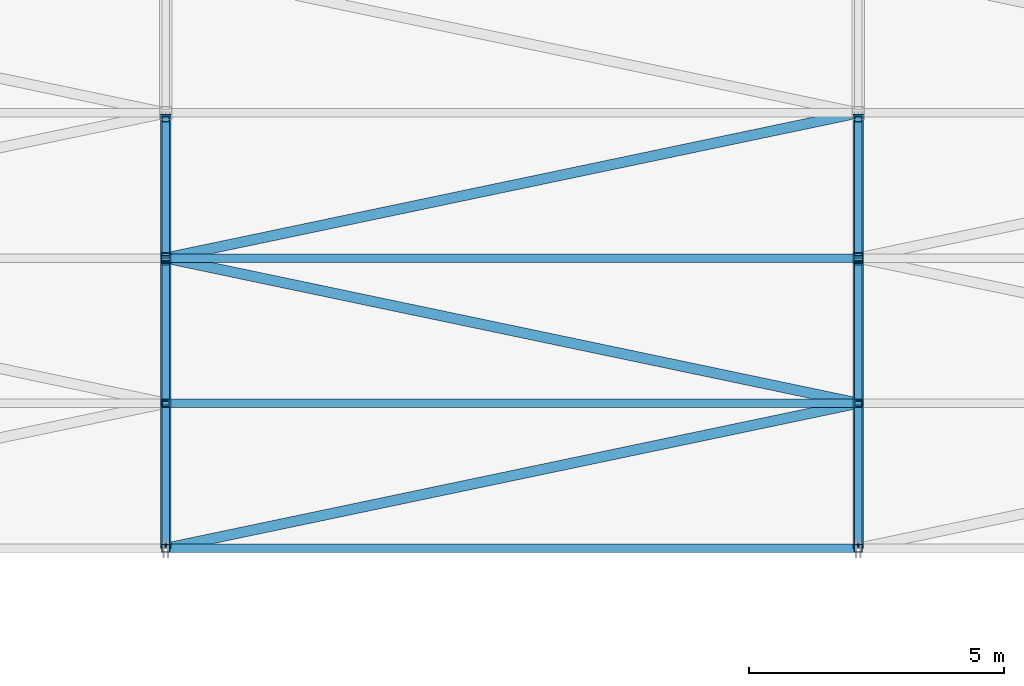
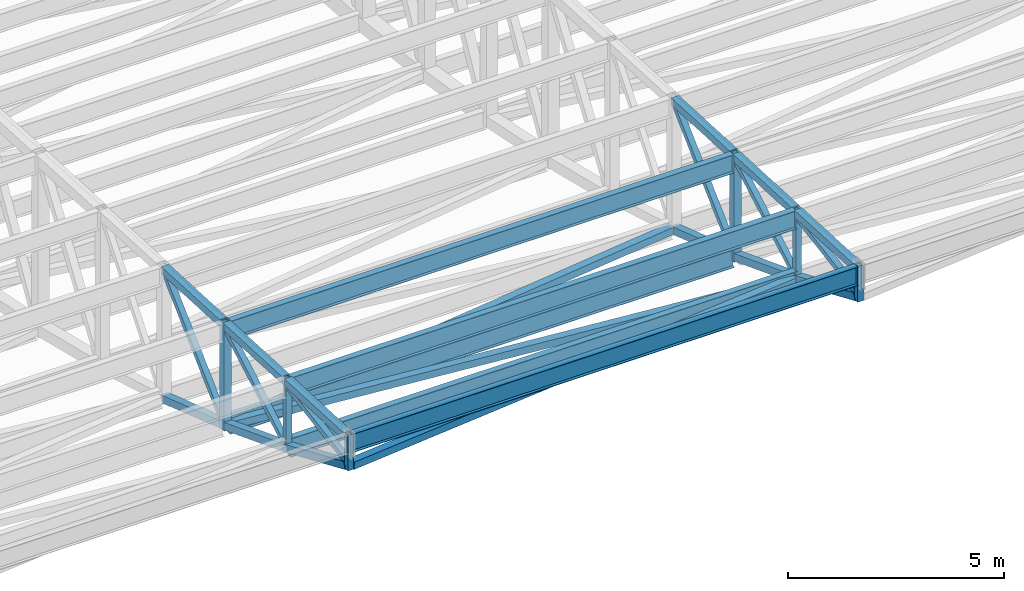
# One storey, part 78 of 278: 18 beams, 14 members.
"""IFC4 building model written with IfcOpenShell, lengths in metres."""

from ifc_helpers import new_model, si_unit, direction, frame, origin, origin_2d, place, context, subcontext, project, spatial, hollow_rectangle, i_section, extrude, material, material_profile, profile_set, type_object, element, save


model = new_model("IFC4")

# Units and contexts
model_context = context("Model", 3, precision=1e-05, world=origin(), true_north=direction((0.0, 1.0)))
body_context = subcontext(model_context, "Body", "Model", "MODEL_VIEW")
ifc_project = project(units=[si_unit("LENGTHUNIT", "METRE"), si_unit("AREAUNIT", "SQUARE_METRE"), si_unit("VOLUMEUNIT", "CUBIC_METRE"), si_unit("PLANEANGLEUNIT", "RADIAN"), si_unit("MASSUNIT", "GRAM", prefix="KILO")], contexts=[model_context])

# Site, building, storey
site_placement = place(None, origin())
site = spatial("IfcSite", under=ifc_project, at=site_placement, CompositionType="ELEMENT")
building_placement = place(site_placement, origin())
building = spatial("IfcBuilding", under=site, at=building_placement, Name="Ogive Plaza Stadium", CompositionType="ELEMENT")
storey_placement = place(building_placement, frame((0.0, 0.0, 29.0)))
storey = spatial("IfcBuildingStorey", under=building, at=storey_placement, Name="Roof", CompositionType="ELEMENT", Elevation=29.0)

# Members
ifc_material_1 = material(Name="Steel ASTM A500 Grade C", Category="steel")
ifc_material_profile_1 = material_profile(ifc_material_1, hollow_rectangle(XDim=0.203125, YDim=0.203125, WallThickness=0.0087890625, at=origin_2d()), Name="HSS8X8X3/8")
ifc_profile_set_1 = profile_set([ifc_material_profile_1], Name="Steel ASTM A500 Grade C")
member_type_1 = type_object("IfcMemberType", Name="Roof plan brace HSS8X8X3/8", PredefinedType="BRACE", material=ifc_profile_set_1)
member_1_placement = place(storey_placement, frame((-20.332275390625, 64.01416015625, 6.5205078125), z_axis=(0.974983402681, 0.204327358854, -0.087508256301), x_axis=(-0.205114219191, 0.978738043138, 0.0)))
element("IfcMember", 1, at=member_1_placement, inside=storey, type_object=member_type_1, Name="ROOF BRACE B33 1", PredefinedType="BRACE", context=body_context, shape_type="SweptSolid", body=[
    extrude(hollow_rectangle(XDim=0.203125, YDim=0.203125, WallThickness=0.0087890625, at=origin_2d()), origin(), (0.0, 0.0, 1.0), 13.81005859375),
])
member_2_placement = place(storey_placement, frame((-6.86767578125, 66.8642578125, 5.30029296875), z_axis=(-0.975733868402, 0.204463279961, -0.078346571082), x_axis=(-0.205093700418, -0.978742343035, 0.0)))
element("IfcMember", 2, at=member_2_placement, inside=storey, type_object=member_type_1, Name="ROOF BRACE B33 2", PredefinedType="BRACE", context=body_context, shape_type="SweptSolid", body=[
    extrude(hollow_rectangle(XDim=0.203125, YDim=0.203125, WallThickness=0.0087890625, at=origin_2d()), origin(), (0.0, 0.0, 1.0), 13.7734375),
])
member_3_placement = place(storey_placement, frame((-20.306884765625, 69.719482421875, 4.207275390625), z_axis=(0.976515317582, 0.204641125651, -0.067378366106), x_axis=(-0.205107232709, 0.97873950727, 0.0)))
element("IfcMember", 3, at=member_3_placement, inside=storey, type_object=member_type_1, Name="ROOF BRACE B33 3", PredefinedType="BRACE", context=body_context, shape_type="SweptSolid", body=[
    extrude(hollow_rectangle(XDim=0.203125, YDim=0.203125, WallThickness=0.0087890625, at=origin_2d()), origin(), (0.0, 0.0, 1.0), 13.736328125),
])
ifc_material_2 = material(Name="Steel ASTM A992 Grade 50", Category="steel")
ifc_material_profile_2 = material_profile(ifc_material_2, i_section(OverallWidth=0.1650390625, OverallDepth=0.524658203125, WebThickness=0.0087890625, FlangeThickness=0.011474609375, at=origin_2d()), Name="W21X44")
ifc_profile_set_2 = profile_set([ifc_material_profile_2], Name="Steel ASTM A992 Grade 50")
member_type_2 = type_object("IfcMemberType", Name="Roof plan strut W21X44", PredefinedType="STRUT", material=ifc_profile_set_2)
member_4_placement = place(storey_placement, frame((-20.353759765625, 66.85009765625, 5.305908203125), z_axis=(1.0, 0.0, 0.0), x_axis=(0.0, 1.0, 0.0)))
element("IfcMember", 4, at=member_4_placement, inside=storey, type_object=member_type_2, Name="ROOF STRUT B33 1", PredefinedType="STRUT", context=body_context, shape_type="SweptSolid", body=[
    extrude(i_section(OverallWidth=0.1650390625, OverallDepth=0.524658203125, WebThickness=0.0087890625, FlangeThickness=0.011474609375, at=origin_2d()), origin(), (0.0, 0.0, 1.0), 13.507568359375),
])
member_5_placement = place(storey_placement, frame((-20.328369140625, 69.699951171875, 4.213623046875), z_axis=(1.0, 0.0, 0.0), x_axis=(0.0, 1.0, 0.0)))
element("IfcMember", 5, at=member_5_placement, inside=storey, type_object=member_type_2, Name="ROOF STRUT B33 2", PredefinedType="STRUT", context=body_context, shape_type="SweptSolid", body=[
    extrude(i_section(OverallWidth=0.1650390625, OverallDepth=0.524658203125, WebThickness=0.0087890625, FlangeThickness=0.011474609375, at=origin_2d()), origin(), (0.0, 0.0, 1.0), 13.456787109375),
])
ifc_material_3 = material(Name="Steel ASTM A992 Grade 50", Category="steel")
ifc_material_profile_3 = material_profile(ifc_material_3, i_section(OverallWidth=0.1650390625, OverallDepth=0.524658203125, WebThickness=0.0087890625, FlangeThickness=0.011474609375, at=origin_2d()), Name="W21X44")
ifc_profile_set_3 = profile_set([ifc_material_profile_3], Name="Steel ASTM A992 Grade 50")
member_type_3 = type_object("IfcMemberType", Name="Roof purlin W21X44", PredefinedType="PURLIN", material=ifc_profile_set_3)
member_6_placement = place(storey_placement, frame((-20.353759765625, 66.85009765625, 7.02001953125), z_axis=(1.0, 0.0, 0.0), x_axis=(0.0, 1.0, 0.0)))
element("IfcMember", 6, at=member_6_placement, inside=storey, type_object=member_type_3, Name="ROOF PURLIN B33 1", PredefinedType="PURLIN", context=body_context, shape_type="SweptSolid", body=[
    extrude(i_section(OverallWidth=0.1650390625, OverallDepth=0.524658203125, WebThickness=0.0087890625, FlangeThickness=0.011474609375, at=origin_2d()), origin(), (0.0, 0.0, 1.0), 13.507568359375),
])
member_7_placement = place(storey_placement, frame((-20.328369140625, 69.699951171875, 6.877685546875), z_axis=(1.0, 0.0, 0.0), x_axis=(0.0, 1.0, 0.0)))
element("IfcMember", 7, at=member_7_placement, inside=storey, type_object=member_type_3, Name="ROOF PURLIN B33 2", PredefinedType="PURLIN", context=body_context, shape_type="SweptSolid", body=[
    extrude(i_section(OverallWidth=0.1650390625, OverallDepth=0.524658203125, WebThickness=0.0087890625, FlangeThickness=0.011474609375, at=origin_2d()), origin(), (0.0, 0.0, 1.0), 13.456787109375),
])
ifc_material_4 = material(Name="Steel ASTM A992 Grade 50", Category="steel")
ifc_material_profile_4 = material_profile(ifc_material_4, i_section(OverallWidth=0.1650390625, OverallDepth=0.524658203125, WebThickness=0.0087890625, FlangeThickness=0.011474609375, at=origin_2d()), Name="W21X44")
ifc_profile_set_4 = profile_set([ifc_material_profile_4], Name="Steel ASTM A992 Grade 50")
member_type_4 = type_object("IfcMemberType", Name="Roof tip ring beam W21X44", PredefinedType="MEMBER", material=ifc_profile_set_4)
member_8_placement = place(storey_placement, frame((-20.353759765625, 64.0, 7.16259765625), z_axis=(1.0, 0.0, 0.0), x_axis=(0.0, 1.0, 0.0)))
element("IfcMember", 8, at=member_8_placement, inside=storey, type_object=member_type_4, Name="RING BEAM B33", PredefinedType="MEMBER", context=body_context, shape_type="SweptSolid", body=[
    extrude(i_section(OverallWidth=0.1650390625, OverallDepth=0.524658203125, WebThickness=0.0087890625, FlangeThickness=0.011474609375, at=origin_2d()), origin(), (0.0, 0.0, 1.0), 13.507568359375),
])

# Beams
ifc_material_5 = material(Name="Steel ASTM A500 Grade C", Category="steel")
ifc_material_profile_5 = material_profile(ifc_material_5, hollow_rectangle(XDim=0.203125, YDim=0.203125, WallThickness=0.01171875, at=origin_2d()), Name="HSS8X8X1/2")
ifc_profile_set_5 = profile_set([ifc_material_profile_5], Name="Steel ASTM A500 Grade C")
beam_type_1 = type_object("IfcBeamType", Name="Roof truss bottom chord HSS8X8X1/2", PredefinedType="BEAM", material=ifc_profile_set_5)
beam_1_placement = place(storey_placement, frame((-20.39990234375, 64.0400390625, 6.518310546875), z_axis=(0.0, 0.919215459426, -0.393754922702), x_axis=(-1.0, 0.0, 0.0)))
element("IfcBeam", 9, at=beam_1_placement, inside=storey, type_object=beam_type_1, Name="ROOF TRUSS T33 BOTTOM CHORD 1", PredefinedType="BEAM", context=body_context, shape_type="SweptSolid", body=[
    extrude(hollow_rectangle(XDim=0.203125, YDim=0.203125, WallThickness=0.01171875, at=origin_2d()), origin(), (0.0, 0.0, 1.0), 3.04736328125),
])
beam_2_placement = place(storey_placement, frame((-20.39990234375, 66.886474609375, 5.299072265625), z_axis=(0.0, 0.933780874892, -0.357845326484), x_axis=(-1.0, 0.0, 0.0)))
element("IfcBeam", 10, at=beam_2_placement, inside=storey, type_object=beam_type_1, Name="ROOF TRUSS T33 BOTTOM CHORD 2", PredefinedType="BEAM", context=body_context, shape_type="SweptSolid", body=[
    extrude(hollow_rectangle(XDim=0.203125, YDim=0.203125, WallThickness=0.01171875, at=origin_2d()), origin(), (0.0, 0.0, 1.0), 2.97314453125),
])
beam_3_placement = place(storey_placement, frame((-20.39990234375, 69.74072265625, 4.20556640625), z_axis=(0.0, 0.947299736415, -0.320348574817), x_axis=(-1.0, 0.0, 0.0)))
element("IfcBeam", 11, at=beam_3_placement, inside=storey, type_object=beam_type_1, Name="ROOF TRUSS T33 BOTTOM CHORD 3", PredefinedType="BEAM", context=body_context, shape_type="SweptSolid", body=[
    extrude(hollow_rectangle(XDim=0.203125, YDim=0.203125, WallThickness=0.01171875, at=origin_2d()), origin(), (0.0, 0.0, 1.0), 2.912841796875),
])
beam_4_placement = place(storey_placement, frame((-6.800048828125, 64.0400390625, 6.518310546875), z_axis=(0.0, 0.919215459426, -0.393754922702), x_axis=(-1.0, 0.0, 0.0)))
element("IfcBeam", 12, at=beam_4_placement, inside=storey, type_object=beam_type_1, Name="ROOF TRUSS T34 BOTTOM CHORD 1", PredefinedType="BEAM", context=body_context, shape_type="SweptSolid", body=[
    extrude(hollow_rectangle(XDim=0.203125, YDim=0.203125, WallThickness=0.01171875, at=origin_2d()), origin(), (0.0, 0.0, 1.0), 3.04736328125),
])
beam_5_placement = place(storey_placement, frame((-6.800048828125, 66.886474609375, 5.299072265625), z_axis=(0.0, 0.933780874892, -0.357845326484), x_axis=(-1.0, 0.0, 0.0)))
element("IfcBeam", 13, at=beam_5_placement, inside=storey, type_object=beam_type_1, Name="ROOF TRUSS T34 BOTTOM CHORD 2", PredefinedType="BEAM", context=body_context, shape_type="SweptSolid", body=[
    extrude(hollow_rectangle(XDim=0.203125, YDim=0.203125, WallThickness=0.01171875, at=origin_2d()), origin(), (0.0, 0.0, 1.0), 2.97314453125),
])
beam_6_placement = place(storey_placement, frame((-6.800048828125, 69.74072265625, 4.20556640625), z_axis=(0.0, 0.947299736415, -0.320348574817), x_axis=(-1.0, 0.0, 0.0)))
element("IfcBeam", 14, at=beam_6_placement, inside=storey, type_object=beam_type_1, Name="ROOF TRUSS T34 BOTTOM CHORD 3", PredefinedType="BEAM", context=body_context, shape_type="SweptSolid", body=[
    extrude(hollow_rectangle(XDim=0.203125, YDim=0.203125, WallThickness=0.01171875, at=origin_2d()), origin(), (0.0, 0.0, 1.0), 2.912841796875),
])

# Members
ifc_material_6 = material(Name="Steel ASTM A500 Grade C", Category="steel")
ifc_material_profile_6 = material_profile(ifc_material_6, hollow_rectangle(XDim=0.15234375, YDim=0.15234375, WallThickness=0.005859375, at=origin_2d()), Name="HSS6X6X1/4")
ifc_profile_set_6 = profile_set([ifc_material_profile_6], Name="Steel ASTM A500 Grade C")
member_type_5 = type_object("IfcMemberType", Name="Roof truss diagonal HSS6X6X1/4", PredefinedType="BRACE", material=ifc_profile_set_6)
member_9_placement = place(storey_placement, frame((-20.39990234375, 64.076171875, 6.628173828125), z_axis=(0.0, 0.986299671123, 0.164963507307), x_axis=(-1.0, 0.0, 0.0)))
element("IfcMember", 15, at=member_9_placement, inside=storey, type_object=member_type_5, Name="ROOF TRUSS T33 DIAGONAL 1", PredefinedType="BRACE", context=body_context, shape_type="SweptSolid", body=[
    extrude(hollow_rectangle(XDim=0.15234375, YDim=0.15234375, WallThickness=0.005859375, at=origin_2d()), origin(), (0.0, 0.0, 1.0), 2.73486328125),
])
member_10_placement = place(storey_placement, frame((-20.39990234375, 66.92626953125, 5.407470703125), z_axis=(0.0, 0.8679111184, 0.496719529069), x_axis=(-1.0, 0.0, 0.0)))
element("IfcMember", 16, at=member_10_placement, inside=storey, type_object=member_type_5, Name="ROOF TRUSS T33 DIAGONAL 2", PredefinedType="BRACE", context=body_context, shape_type="SweptSolid", body=[
    extrude(hollow_rectangle(XDim=0.15234375, YDim=0.15234375, WallThickness=0.005859375, at=origin_2d()), origin(), (0.0, 0.0, 1.0), 3.078857421875),
])
member_11_placement = place(storey_placement, frame((-6.800048828125, 64.076171875, 6.628173828125), z_axis=(0.0, 0.986299671123, 0.164963507307), x_axis=(-1.0, 0.0, 0.0)))
element("IfcMember", 17, at=member_11_placement, inside=storey, type_object=member_type_5, Name="ROOF TRUSS T34 DIAGONAL 1", PredefinedType="BRACE", context=body_context, shape_type="SweptSolid", body=[
    extrude(hollow_rectangle(XDim=0.15234375, YDim=0.15234375, WallThickness=0.005859375, at=origin_2d()), origin(), (0.0, 0.0, 1.0), 2.73486328125),
])
member_12_placement = place(storey_placement, frame((-6.800048828125, 66.92626953125, 5.407470703125), z_axis=(0.0, 0.8679111184, 0.496719529069), x_axis=(-1.0, 0.0, 0.0)))
element("IfcMember", 18, at=member_12_placement, inside=storey, type_object=member_type_5, Name="ROOF TRUSS T34 DIAGONAL 2", PredefinedType="BRACE", context=body_context, shape_type="SweptSolid", body=[
    extrude(hollow_rectangle(XDim=0.15234375, YDim=0.15234375, WallThickness=0.005859375, at=origin_2d()), origin(), (0.0, 0.0, 1.0), 3.078857421875),
])
ifc_material_7 = material(Name="Steel ASTM A500 Grade C", Category="steel")
ifc_material_profile_7 = material_profile(ifc_material_7, hollow_rectangle(XDim=0.15234375, YDim=0.15234375, WallThickness=0.0087890625, at=origin_2d()), Name="HSS6X6X3/8")
ifc_profile_set_7 = profile_set([ifc_material_profile_7], Name="Steel ASTM A500 Grade C")
member_type_6 = type_object("IfcMemberType", Name="Roof truss diagonal HSS6X6X3/8", PredefinedType="BRACE", material=ifc_profile_set_7)
for number, where, z_axis, x_axis, name in (
    (19, (-20.39990234375, 69.801513671875, 4.315185546875), (0.0, 0.726588919749, 0.687072442832), (-1.0, 0.0, 0.0), "ROOF TRUSS T33 DIAGONAL 3"),
    (20, (-6.800048828125, 69.801513671875, 4.315185546875), (0.0, 0.726588919749, 0.687072442832), (-1.0, 0.0, 0.0), "ROOF TRUSS T34 DIAGONAL 3"),
):
    element("IfcMember", number, at=place(storey_placement, frame(where, z_axis=z_axis, x_axis=x_axis)), inside=storey, type_object=member_type_6, Name=name, PredefinedType="BRACE", context=body_context, shape_type="SweptSolid", body=[
        extrude(hollow_rectangle(XDim=0.15234375, YDim=0.15234375, WallThickness=0.0087890625, at=origin_2d()), origin(), (0.0, 0.0, 1.0), 3.608154296875),
    ])

# Beams
ifc_material_8 = material(Name="Steel ASTM A500 Grade C", Category="steel")
ifc_material_profile_8 = material_profile(ifc_material_8, hollow_rectangle(XDim=0.15234375, YDim=0.15234375, WallThickness=0.0087890625, at=origin_2d()), Name="HSS6X6X3/8")
ifc_profile_set_8 = profile_set([ifc_material_profile_8], Name="Steel ASTM A500 Grade C")
beam_type_2 = type_object("IfcBeamType", Name="Roof truss post HSS6X6X3/8", PredefinedType="BEAM", material=ifc_profile_set_8)
beam_7_placement = place(storey_placement, frame((-20.39990234375, 64.0, 6.425048828125), z_axis=(0.0, 0.0, 1.0), x_axis=(-1.0, 0.0, 0.0)))
element("IfcBeam", 21, at=beam_7_placement, inside=storey, type_object=beam_type_2, Name="ROOF TRUSS T33 POST 1", PredefinedType="BEAM", context=body_context, shape_type="SweptSolid", body=[
    extrude(hollow_rectangle(XDim=0.15234375, YDim=0.15234375, WallThickness=0.0087890625, at=origin_2d()), origin(), (0.0, 0.0, 1.0), 1.0),
])
beam_8_placement = place(storey_placement, frame((-20.39990234375, 66.85009765625, 5.204345703125), z_axis=(0.0, 0.0, 1.0), x_axis=(-1.0, 0.0, 0.0)))
element("IfcBeam", 22, at=beam_8_placement, inside=storey, type_object=beam_type_2, Name="ROOF TRUSS T33 POST 2", PredefinedType="BEAM", context=body_context, shape_type="SweptSolid", body=[
    extrude(hollow_rectangle(XDim=0.15234375, YDim=0.15234375, WallThickness=0.0087890625, at=origin_2d()), origin(), (0.0, 0.0, 1.0), 2.078125),
])
beam_9_placement = place(storey_placement, frame((-6.800048828125, 64.0, 6.425048828125), z_axis=(0.0, 0.0, 1.0), x_axis=(-1.0, 0.0, 0.0)))
element("IfcBeam", 23, at=beam_9_placement, inside=storey, type_object=beam_type_2, Name="ROOF TRUSS T34 POST 1", PredefinedType="BEAM", context=body_context, shape_type="SweptSolid", body=[
    extrude(hollow_rectangle(XDim=0.15234375, YDim=0.15234375, WallThickness=0.0087890625, at=origin_2d()), origin(), (0.0, 0.0, 1.0), 1.0),
])
beam_10_placement = place(storey_placement, frame((-6.800048828125, 66.85009765625, 5.204345703125), z_axis=(0.0, 0.0, 1.0), x_axis=(-1.0, 0.0, 0.0)))
element("IfcBeam", 24, at=beam_10_placement, inside=storey, type_object=beam_type_2, Name="ROOF TRUSS T34 POST 2", PredefinedType="BEAM", context=body_context, shape_type="SweptSolid", body=[
    extrude(hollow_rectangle(XDim=0.15234375, YDim=0.15234375, WallThickness=0.0087890625, at=origin_2d()), origin(), (0.0, 0.0, 1.0), 2.078125),
])
ifc_material_9 = material(Name="Steel ASTM A500 Grade C", Category="steel")
ifc_material_profile_9 = material_profile(ifc_material_9, hollow_rectangle(XDim=0.203125, YDim=0.203125, WallThickness=0.0087890625, at=origin_2d()), Name="HSS8X8X3/8")
ifc_profile_set_9 = profile_set([ifc_material_profile_9], Name="Steel ASTM A500 Grade C")
beam_type_3 = type_object("IfcBeamType", Name="Roof truss post HSS8X8X3/8", PredefinedType="BEAM", material=ifc_profile_set_9)
for number, where, z_axis, x_axis, name in (
    (25, (-20.39990234375, 69.699951171875, 4.112060546875), (0.0, 0.0, 1.0), (-1.0, 0.0, 0.0), "ROOF TRUSS T33 POST 3"),
    (26, (-6.800048828125, 69.699951171875, 4.112060546875), (0.0, 0.0, 1.0), (-1.0, 0.0, 0.0), "ROOF TRUSS T34 POST 3"),
):
    element("IfcBeam", number, at=place(storey_placement, frame(where, z_axis=z_axis, x_axis=x_axis)), inside=storey, type_object=beam_type_3, Name=name, PredefinedType="BEAM", context=body_context, shape_type="SweptSolid", body=[
        extrude(hollow_rectangle(XDim=0.203125, YDim=0.203125, WallThickness=0.0087890625, at=origin_2d()), origin(), (0.0, 0.0, 1.0), 3.02783203125),
    ])
ifc_material_10 = material(Name="Steel ASTM A500 Grade C", Category="steel")
ifc_material_profile_10 = material_profile(ifc_material_10, hollow_rectangle(XDim=0.203125, YDim=0.203125, WallThickness=0.0087890625, at=origin_2d()), Name="HSS8X8X3/8")
ifc_profile_set_10 = profile_set([ifc_material_profile_10], Name="Steel ASTM A500 Grade C")
beam_type_4 = type_object("IfcBeamType", Name="Roof truss top chord HSS8X8X3/8", PredefinedType="BEAM", material=ifc_profile_set_10)
beam_11_placement = place(storey_placement, frame((-20.39990234375, 64.041259765625, 7.3212890625), z_axis=(0.0, 0.998751459876, -0.049955193873), x_axis=(-1.0, 0.0, 0.0)))
element("IfcBeam", 27, at=beam_11_placement, inside=storey, type_object=beam_type_4, Name="ROOF TRUSS T33 TOP CHORD 1", PredefinedType="BEAM", context=body_context, shape_type="SweptSolid", body=[
    extrude(hollow_rectangle(XDim=0.203125, YDim=0.203125, WallThickness=0.0087890625, at=origin_2d()), origin(), (0.0, 0.0, 1.0), 2.77099609375),
])
beam_12_placement = place(storey_placement, frame((-20.39990234375, 66.89111328125, 7.1787109375), z_axis=(0.0, 0.998752338878, -0.049937616944), x_axis=(-1.0, 0.0, 0.0)))
element("IfcBeam", 28, at=beam_12_placement, inside=storey, type_object=beam_type_4, Name="ROOF TRUSS T33 TOP CHORD 2", PredefinedType="BEAM", context=body_context, shape_type="SweptSolid", body=[
    extrude(hollow_rectangle(XDim=0.203125, YDim=0.203125, WallThickness=0.0087890625, at=origin_2d()), origin(), (0.0, 0.0, 1.0), 2.76220703125),
])
beam_13_placement = place(storey_placement, frame((-20.39990234375, 69.75, 7.035888671875), z_axis=(0.0, 0.998748798523, -0.05000837379), x_axis=(-1.0, 0.0, 0.0)))
element("IfcBeam", 29, at=beam_13_placement, inside=storey, type_object=beam_type_4, Name="ROOF TRUSS T33 TOP CHORD 3", PredefinedType="BEAM", context=body_context, shape_type="SweptSolid", body=[
    extrude(hollow_rectangle(XDim=0.203125, YDim=0.203125, WallThickness=0.0087890625, at=origin_2d()), origin(), (0.0, 0.0, 1.0), 2.75341796875),
])
beam_14_placement = place(storey_placement, frame((-6.800048828125, 64.041259765625, 7.3212890625), z_axis=(0.0, 0.998751459876, -0.049955193873), x_axis=(-1.0, 0.0, 0.0)))
element("IfcBeam", 30, at=beam_14_placement, inside=storey, type_object=beam_type_4, Name="ROOF TRUSS T34 TOP CHORD 1", PredefinedType="BEAM", context=body_context, shape_type="SweptSolid", body=[
    extrude(hollow_rectangle(XDim=0.203125, YDim=0.203125, WallThickness=0.0087890625, at=origin_2d()), origin(), (0.0, 0.0, 1.0), 2.77099609375),
])
beam_15_placement = place(storey_placement, frame((-6.800048828125, 66.89111328125, 7.1787109375), z_axis=(0.0, 0.998752338878, -0.049937616944), x_axis=(-1.0, 0.0, 0.0)))
element("IfcBeam", 31, at=beam_15_placement, inside=storey, type_object=beam_type_4, Name="ROOF TRUSS T34 TOP CHORD 2", PredefinedType="BEAM", context=body_context, shape_type="SweptSolid", body=[
    extrude(hollow_rectangle(XDim=0.203125, YDim=0.203125, WallThickness=0.0087890625, at=origin_2d()), origin(), (0.0, 0.0, 1.0), 2.76220703125),
])
beam_16_placement = place(storey_placement, frame((-6.800048828125, 69.75, 7.035888671875), z_axis=(0.0, 0.998748798523, -0.05000837379), x_axis=(-1.0, 0.0, 0.0)))
element("IfcBeam", 32, at=beam_16_placement, inside=storey, type_object=beam_type_4, Name="ROOF TRUSS T34 TOP CHORD 3", PredefinedType="BEAM", context=body_context, shape_type="SweptSolid", body=[
    extrude(hollow_rectangle(XDim=0.203125, YDim=0.203125, WallThickness=0.0087890625, at=origin_2d()), origin(), (0.0, 0.0, 1.0), 2.75341796875),
])

save(model, "model.ifc")
